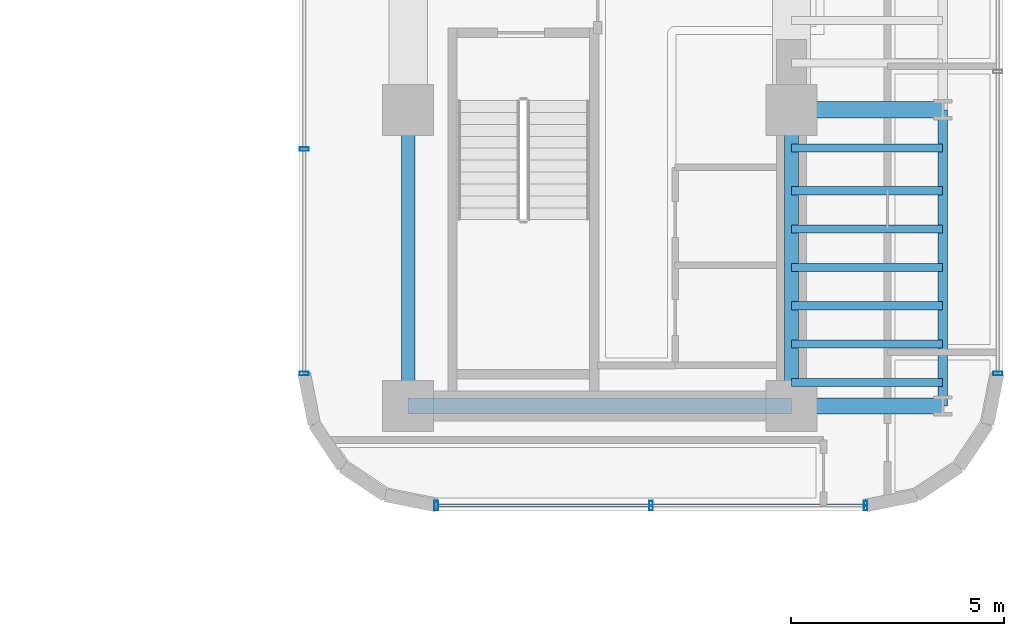
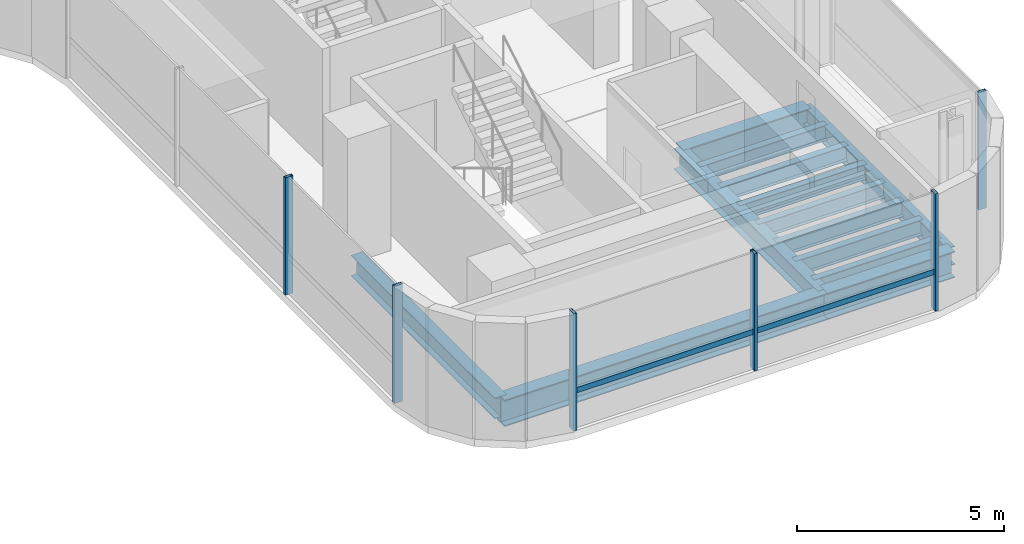
# One storey, part 12 of 35: 13 beams, 7 members, 3 elements without a shape of their own.
"""IFC4 building model written with IfcOpenShell, lengths in metres."""

from ifc_helpers import new_model, si_unit, direction, frame, origin, origin_2d, place, context, subcontext, project, spatial, hollow_rectangle, i_section, extrude, source, transform, mapped, material, material_profile, profile_set, type_object, element, aggregate, save


model = new_model("IFC4")

# Units and contexts
model_context = context("Model", 3, precision=1e-05, world=origin(), true_north=direction((0.0, 1.0)))
body_context = subcontext(model_context, "Body", "Model", "MODEL_VIEW")
ifc_project = project(units=[si_unit("LENGTHUNIT", "METRE"), si_unit("AREAUNIT", "SQUARE_METRE"), si_unit("VOLUMEUNIT", "CUBIC_METRE"), si_unit("PLANEANGLEUNIT", "RADIAN"), si_unit("MASSUNIT", "GRAM", prefix="KILO")], contexts=[model_context])

# Site, building, storey
site_placement = place(None, origin())
site = spatial("IfcSite", under=ifc_project, at=site_placement, CompositionType="ELEMENT")
building_placement = place(site_placement, origin())
building = spatial("IfcBuilding", under=site, at=building_placement, Name="Valdorenza Pilgrim Sanctuary Tower", CompositionType="ELEMENT")
storey_placement = place(building_placement, frame((0.0, 0.0, 116.800048828125)))
storey = spatial("IfcBuildingStorey", under=building, at=storey_placement, Name="L29", CompositionType="ELEMENT", Elevation=116.800048828125)

# Beams
ifc_material_1 = material(Name="Steel ASTM A992 Grade 50", Category="steel")
ifc_material_profile_1 = material_profile(ifc_material_1, i_section(OverallWidth=0.323974609375, OverallDepth=0.611083984375, WebThickness=0.0126953125, FlangeThickness=0.01904296875, at=origin_2d()), Name="W24X104")
ifc_profile_set_1 = profile_set([ifc_material_profile_1], Name="Steel ASTM A992 Grade 50")
beam_type_1 = type_object("IfcBeamType", Name="STR-BM-GRD-W24B", PredefinedType="BEAM", material=ifc_profile_set_1)
shared_shape_1 = source(origin(), body_context, "Body", "SweptSolid", [
    extrude(i_section(OverallWidth=0.323974609375, OverallDepth=0.611083984375, WebThickness=0.0126953125, FlangeThickness=0.01904296875, at=origin_2d()), origin(), (0.0, 0.0, 1.0), 6.949951171875),
])
for number, where, z_axis, x_axis, name in (
    (1, (15.85009765625, -9.550048828125, -0.545654296875), (0.0, 1.0, 0.0), (-1.0, 0.0, 0.0), "L29 Core Tie Girder CB-W-S1M0"),
    (2, (24.85009765625, -9.550048828125, -0.545654296875), (0.0, 1.0, 0.0), (-1.0, 0.0, 0.0), "L29 Core Tie Girder CB-E-S1M0"),
):
    element("IfcBeam", number, at=place(storey_placement, frame(where, z_axis=z_axis, x_axis=x_axis)), inside=storey, type_object=beam_type_1, Name=name, PredefinedType="BEAM", context=body_context, shape_type="MappedRepresentation", body=[
        mapped(shared_shape_1, transform((0.0, 0.0, 0.0), x_axis=(1.0, 0.0, 0.0), y_axis=(0.0, 1.0, 0.0), z_axis=(0.0, 0.0, 1.0), scale=1.0)),
    ])
ifc_material_profile_2 = material_profile(ifc_material_1, i_section(OverallWidth=0.214111328125, OverallDepth=0.549072265625, WebThickness=0.0146484375, FlangeThickness=0.023681640625, at=origin_2d()), Name="W21X93")
ifc_profile_set_2 = profile_set([ifc_material_profile_2], Name="Steel ASTM A992 Grade 50")
beam_type_2 = type_object("IfcBeamType", Name="STR-BM-SPN-W21A", PredefinedType="SPANDREL", material=ifc_profile_set_2)
shared_shape_2 = source(origin(), body_context, "Body", "SweptSolid", [
    extrude(i_section(OverallWidth=0.214111328125, OverallDepth=0.549072265625, WebThickness=0.0146484375, FlangeThickness=0.023681640625, at=origin_2d()), origin(), (0.0, 0.0, 1.0), 6.949951171875),
])
beam_1_placement = place(storey_placement, frame((28.39990234375, -9.550048828125, -0.5146484375), z_axis=(0.0, 1.0, 0.0), x_axis=(-1.0, 0.0, 0.0)))
element("IfcBeam", 3, at=beam_1_placement, inside=storey, type_object=beam_type_2, Name="L29 Spandrel Beam WB-E-S1M0", PredefinedType="SPANDREL", context=body_context, shape_type="MappedRepresentation", body=[
    mapped(shared_shape_2, transform((0.0, 0.0, 0.0), x_axis=(1.0, 0.0, 0.0), y_axis=(0.0, 1.0, 0.0), z_axis=(0.0, 0.0, 1.0), scale=1.0)),
])
ifc_material_profile_3 = material_profile(ifc_material_1, i_section(OverallWidth=0.382080078125, OverallDepth=0.779052734375, WebThickness=0.01806640625, FlangeThickness=0.030029296875, at=origin_2d()), Name="W30X191")
ifc_profile_set_3 = profile_set([ifc_material_profile_3], Name="Steel ASTM A992 Grade 50")
beam_type_3 = type_object("IfcBeamType", Name="STR-BM-GRD-W30", PredefinedType="BEAM", material=ifc_profile_set_3)
shared_shape_3 = source(origin(), body_context, "Body", "SweptSolid", [
    extrude(i_section(OverallWidth=0.382080078125, OverallDepth=0.779052734375, WebThickness=0.01806640625, FlangeThickness=0.030029296875, at=origin_2d()), origin(), (0.0, 0.0, 1.0), 9.0),
])
beam_2_placement = place(storey_placement, frame((15.85009765625, -9.550048828125, -0.629638671875), z_axis=(1.0, 0.0, 0.0), x_axis=(0.0, 1.0, 0.0)))
element("IfcBeam", 4, at=beam_2_placement, inside=storey, type_object=beam_type_3, Name="L29 Floor Girder CB-XC-S1", PredefinedType="BEAM", context=body_context, shape_type="MappedRepresentation", body=[
    mapped(shared_shape_3, transform((0.0, 0.0, 0.0), x_axis=(1.0, 0.0, 0.0), y_axis=(0.0, 1.0, 0.0), z_axis=(0.0, 0.0, 1.0), scale=1.0)),
])
shared_shape_4 = source(origin(), body_context, "Body", "SweptSolid", [
    extrude(i_section(OverallWidth=0.382080078125, OverallDepth=0.779052734375, WebThickness=0.01806640625, FlangeThickness=0.030029296875, at=origin_2d()), origin(), (0.0, 0.0, 1.0), 3.5498046875),
])
for number, where, z_axis, x_axis, name in (
    (5, (24.85009765625, -9.550048828125, -0.629638671875), (1.0, 0.0, 0.0), (0.0, 1.0, 0.0), "L29 Floor Girder WB-XE-S1"),
    (6, (24.85009765625, -2.60009765625, -0.629638671875), (1.0, 0.0, 0.0), (0.0, 1.0, 0.0), "L29 Floor Girder WB-XE-M0"),
):
    element("IfcBeam", number, at=place(storey_placement, frame(where, z_axis=z_axis, x_axis=x_axis)), inside=storey, type_object=beam_type_3, Name=name, PredefinedType="BEAM", context=body_context, shape_type="MappedRepresentation", body=[
        mapped(shared_shape_4, transform((0.0, 0.0, 0.0), x_axis=(1.0, 0.0, 0.0), y_axis=(0.0, 1.0, 0.0), z_axis=(0.0, 0.0, 1.0), scale=1.0)),
    ])
ifc_material_profile_4 = material_profile(ifc_material_1, i_section(OverallWidth=0.19091796875, OverallDepth=0.45703125, WebThickness=0.009033203125, FlangeThickness=0.014404296875, at=origin_2d()), Name="W18X50")
ifc_profile_set_4 = profile_set([ifc_material_profile_4], Name="Steel ASTM A992 Grade 50")
beam_type_4 = type_object("IfcBeamType", Name="STR-BM-JST-W18B", PredefinedType="JOIST", material=ifc_profile_set_4)
shared_shape_5 = source(origin(), body_context, "Body", "SweptSolid", [
    extrude(i_section(OverallWidth=0.19091796875, OverallDepth=0.45703125, WebThickness=0.009033203125, FlangeThickness=0.014404296875, at=origin_2d()), origin(), (0.0, 0.0, 1.0), 3.5498046875),
])
for number, where, z_axis, x_axis, name in (
    (7, (24.85009765625, -9.0, -0.468505859375), (1.0, 0.0, 0.0), (0.0, 1.0, 0.0), "L29 Composite Floor Joist JST-WB-1"),
    (8, (24.85009765625, -8.10009765625, -0.468505859375), (1.0, 0.0, 0.0), (0.0, 1.0, 0.0), "L29 Composite Floor Joist JST-WB-2"),
    (9, (24.85009765625, -7.199951171875, -0.468505859375), (1.0, 0.0, 0.0), (0.0, 1.0, 0.0), "L29 Composite Floor Joist JST-WB-3"),
    (10, (24.85009765625, -6.300048828125, -0.468505859375), (1.0, 0.0, 0.0), (0.0, 1.0, 0.0), "L29 Composite Floor Joist JST-WB-4"),
    (11, (24.85009765625, -5.39990234375, -0.468505859375), (1.0, 0.0, 0.0), (0.0, 1.0, 0.0), "L29 Composite Floor Joist JST-WB-5"),
    (12, (24.85009765625, -4.5, -0.468505859375), (1.0, 0.0, 0.0), (0.0, 1.0, 0.0), "L29 Composite Floor Joist JST-WB-6"),
    (13, (24.85009765625, -3.5, -0.468505859375), (1.0, 0.0, 0.0), (0.0, 1.0, 0.0), "L29 Composite Floor Joist JST-WB-7"),
):
    element("IfcBeam", number, at=place(storey_placement, frame(where, z_axis=z_axis, x_axis=x_axis)), inside=storey, type_object=beam_type_4, Name=name, PredefinedType="JOIST", context=body_context, shape_type="MappedRepresentation", body=[
        mapped(shared_shape_5, transform((0.0, 0.0, 0.0), x_axis=(1.0, 0.0, 0.0), y_axis=(0.0, 1.0, 0.0), z_axis=(0.0, 0.0, 1.0), scale=1.0)),
    ])

# Curtain wall, member
ifc_material_2 = material(Name="Curtain-wall IGU glazing", Category="glass")
curtain_wall_type = type_object("IfcCurtainWallType", Name="CW-SYS-03", PredefinedType="NOTDEFINED", material=ifc_material_2)
curtain_wall_1_placement = place(storey_placement, origin())
curtain_wall_1 = element("IfcCurtainWall", 14, at=curtain_wall_1_placement, inside=storey, type_object=curtain_wall_type, Name="L29 Curtain Wall CW-L29-1-21", PredefinedType="NOTDEFINED")
ifc_material_3 = material(Name="Anodised aluminium AW-6060", Category="aluminium")
ifc_material_profile_5 = material_profile(ifc_material_3, hollow_rectangle(XDim=0.0849609375, YDim=0.219970703125, WallThickness=0.0048828125, at=origin_2d()), Name="ALU-M 220x85x5")
ifc_profile_set_5 = profile_set([ifc_material_profile_5], Name="Anodised aluminium AW-6060")
member_type_1 = type_object("IfcMemberType", Name="CW-MUL-03", PredefinedType="MULLION", material=ifc_profile_set_5)
shared_shape_6 = source(origin(), body_context, "Body", "SweptSolid", [
    extrude(hollow_rectangle(XDim=0.0849609375, YDim=0.219970703125, WallThickness=0.0048828125, at=origin_2d()), origin(), (0.0, 0.0, 1.0), 3.4599609375),
])
member_1_placement = place(storey_placement, frame((29.68994140625, -8.789306640625, 0.0), z_axis=(0.0, 0.0, 1.0), x_axis=(0.0, -1.0, 0.0)))
member_1 = element("IfcMember", 15, at=member_1_placement, type_object=member_type_1, Name="CW-L29-1-21 Mullion 4", PredefinedType="MULLION", context=body_context, shape_type="MappedRepresentation", body=[
    mapped(shared_shape_6, transform((0.0, 0.0, 0.0), x_axis=(1.0, 0.0, 0.0), y_axis=(0.0, 1.0, 0.0), z_axis=(0.0, 0.0, 1.0), scale=1.0)),
])
aggregate(curtain_wall_1, [member_1])

# Curtain wall, members
curtain_wall_2_placement = place(storey_placement, origin())
curtain_wall_2 = element("IfcCurtainWall", 16, at=curtain_wall_2_placement, inside=storey, type_object=curtain_wall_type, Name="L29 Curtain Wall CW-L29-1-26", PredefinedType="NOTDEFINED")
member_2_placement = place(storey_placement, frame((26.589111328125, -11.889892578125, 0.0), z_axis=(0.0, 0.0, 1.0), x_axis=(-1.0, 0.0, 0.0)))
member_2 = element("IfcMember", 17, at=member_2_placement, type_object=member_type_1, Name="CW-L29-1-26 Mullion 1", PredefinedType="MULLION", context=body_context, shape_type="MappedRepresentation", body=[
    mapped(shared_shape_6, transform((0.0, 0.0, 0.0), x_axis=(1.0, 0.0, 0.0), y_axis=(0.0, 1.0, 0.0), z_axis=(0.0, 0.0, 1.0), scale=1.0)),
])
member_3_placement = place(storey_placement, frame((21.550048828125, -11.889892578125, 0.0), z_axis=(0.0, 0.0, 1.0), x_axis=(-1.0, 0.0, 0.0)))
member_3 = element("IfcMember", 18, at=member_3_placement, type_object=member_type_1, Name="CW-L29-1-26 Mullion 2", PredefinedType="MULLION", context=body_context, shape_type="MappedRepresentation", body=[
    mapped(shared_shape_6, transform((0.0, 0.0, 0.0), x_axis=(1.0, 0.0, 0.0), y_axis=(0.0, 1.0, 0.0), z_axis=(0.0, 0.0, 1.0), scale=1.0)),
])
member_4_placement = place(storey_placement, frame((16.5107421875, -11.889892578125, 0.0), z_axis=(0.0, 0.0, 1.0), x_axis=(-1.0, 0.0, 0.0)))
member_4 = element("IfcMember", 19, at=member_4_placement, type_object=member_type_1, Name="CW-L29-1-26 Mullion 3", PredefinedType="MULLION", context=body_context, shape_type="MappedRepresentation", body=[
    mapped(shared_shape_6, transform((0.0, 0.0, 0.0), x_axis=(1.0, 0.0, 0.0), y_axis=(0.0, 1.0, 0.0), z_axis=(0.0, 0.0, 1.0), scale=1.0)),
])

curtain_wall_3_placement = place(storey_placement, origin())
curtain_wall_3 = element("IfcCurtainWall", 20, at=curtain_wall_3_placement, inside=storey, type_object=curtain_wall_type, Name="L29 Curtain Wall CW-L29-1-31", PredefinedType="NOTDEFINED")
member_5_placement = place(storey_placement, frame((13.409912109375, -8.789306640625, 0.0), z_axis=(0.0, 0.0, 1.0), x_axis=(0.0, 1.0, 0.0)))
member_5 = element("IfcMember", 21, at=member_5_placement, type_object=member_type_1, Name="CW-L29-1-31 Mullion 1", PredefinedType="MULLION", context=body_context, shape_type="MappedRepresentation", body=[
    mapped(shared_shape_6, transform((0.0, 0.0, 0.0), x_axis=(1.0, 0.0, 0.0), y_axis=(0.0, 1.0, 0.0), z_axis=(0.0, 0.0, 1.0), scale=1.0)),
])
member_6_placement = place(storey_placement, frame((13.409912109375, -3.5224609375, 0.0), z_axis=(0.0, 0.0, 1.0), x_axis=(0.0, 1.0, 0.0)))
member_6 = element("IfcMember", 22, at=member_6_placement, type_object=member_type_1, Name="CW-L29-1-31 Mullion 2", PredefinedType="MULLION", context=body_context, shape_type="MappedRepresentation", body=[
    mapped(shared_shape_6, transform((0.0, 0.0, 0.0), x_axis=(1.0, 0.0, 0.0), y_axis=(0.0, 1.0, 0.0), z_axis=(0.0, 0.0, 1.0), scale=1.0)),
])
aggregate(curtain_wall_3, [member_5, member_6])

# Member
ifc_material_profile_6 = material_profile(ifc_material_3, hollow_rectangle(XDim=0.074951171875, YDim=0.159912109375, WallThickness=0.00390625, at=origin_2d()), Name="ALU-T 160x75x4")
ifc_profile_set_6 = profile_set([ifc_material_profile_6], Name="Anodised aluminium AW-6060")
member_type_2 = type_object("IfcMemberType", Name="CW-TRN-03", PredefinedType="USERDEFINED", material=ifc_profile_set_6)
shared_shape_7 = source(origin(), body_context, "Body", "SweptSolid", [
    extrude(hollow_rectangle(XDim=0.074951171875, YDim=0.159912109375, WallThickness=0.00390625, at=origin_2d()), origin(), (0.0, 0.0, 1.0), 10.078369140625),
])
member_7_placement = place(storey_placement, frame((26.589111328125, -11.889892578125, 1.119873046875), z_axis=(-1.0, 0.0, 0.0), x_axis=(0.0, -1.0, 0.0)))
member_7 = element("IfcMember", 23, at=member_7_placement, type_object=member_type_2, Name="CW-L29-1-26 Transom 1", ObjectType="TRANSOM", PredefinedType="USERDEFINED", context=body_context, shape_type="MappedRepresentation", body=[
    mapped(shared_shape_7, transform((0.0, 0.0, 0.0), x_axis=(1.0, 0.0, 0.0), y_axis=(0.0, 1.0, 0.0), z_axis=(0.0, 0.0, 1.0), scale=1.0)),
])

aggregate(curtain_wall_2, [member_2, member_3, member_4, member_7])

save(model, "model.ifc")
